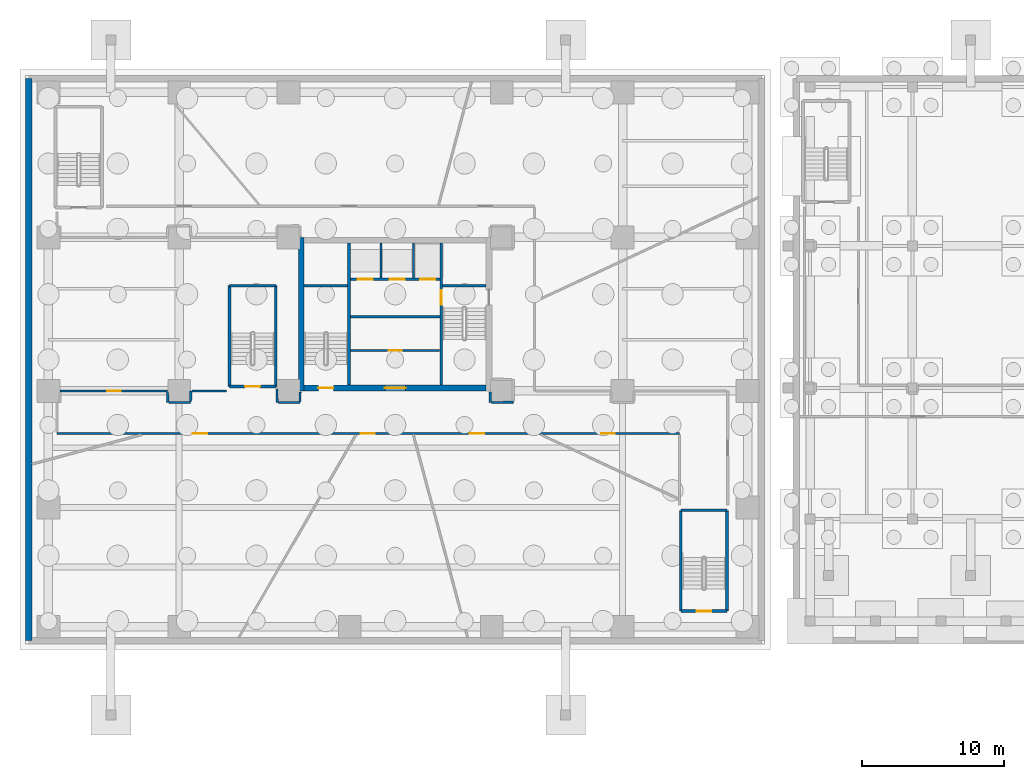
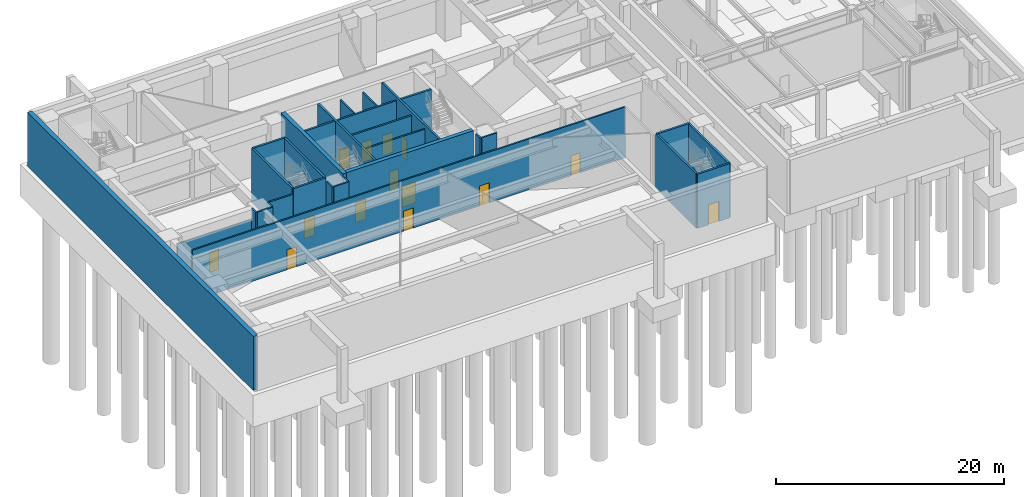
# One storey, part 5 of 15: 31 walls, 14 doors, 14 openings.
"""IFC4 building model written with IfcOpenShell, lengths in metres."""

from ifc_helpers import new_model, si_unit, direction, frame, frame_2d, origin, place, context, subcontext, project, spatial, rectangle, extrude, source, transform, mapped, material, layer, layer_set, type_object, type_shapes, element, fill, save


model = new_model("IFC4")

# Units and contexts
model_context = context("Model", 3, precision=1e-05, world=origin(), true_north=direction((0.0, 1.0)))
body_context = subcontext(model_context, "Body", "Model", "MODEL_VIEW")
ifc_project = project(units=[si_unit("LENGTHUNIT", "METRE"), si_unit("AREAUNIT", "SQUARE_METRE"), si_unit("VOLUMEUNIT", "CUBIC_METRE"), si_unit("PLANEANGLEUNIT", "RADIAN"), si_unit("MASSUNIT", "GRAM", prefix="KILO")], contexts=[model_context])

# Site, building, storey
site_placement = place(None, origin())
site = spatial("IfcSite", under=ifc_project, at=site_placement, CompositionType="ELEMENT")
building_placement = place(site_placement, origin())
building = spatial("IfcBuilding", under=site, at=building_placement, Name="Talar Marvaseh", CompositionType="ELEMENT")
storey_placement = place(building_placement, frame((0.0, 0.0, -11.60009765625)))
storey = spatial("IfcBuildingStorey", under=building, at=storey_placement, Name="B02", CompositionType="ELEMENT", Elevation=-11.60009765625)

# Wall
ifc_material_1 = material(Name="Concrete C50/60", Category="concrete")
ifc_layer_1 = layer(ifc_material_1, 0.449951171875)
ifc_layer_set_1 = layer_set([ifc_layer_1], Name="Concrete C50/60")
wall_type_1 = type_object("IfcWallType", Name="Basement Perimeter Waterproof Retaining Wall 450", PredefinedType="SHEAR", material=ifc_layer_set_1)
wall_1_placement = place(storey_placement, frame((0.22509765625, 8.22509765625, 0.0), z_axis=(0.0, 0.0, 1.0), x_axis=(0.0, 1.0, 0.0)))
element("IfcWall", 1, at=wall_1_placement, inside=storey, type_object=wall_type_1, Name="B02 Basement Retaining Wall", PredefinedType="SHEAR", context=body_context, shape_type="SweptSolid", body=[
    extrude(rectangle(XDim=39.5498046875, YDim=0.449951171875, at=frame_2d((19.77490234375, 0.0))), origin(), (0.0, 0.0, 1.0), 5.800048828125),
])

# Wall, opening, door
ifc_material_2 = material(Name="Gypsum Board Partition Assembly")
ifc_layer_2 = layer(ifc_material_2, 0.155029296875)
ifc_layer_set_2 = layer_set([ifc_layer_2], Name="Gypsum Board Partition Assembly")
wall_type_2 = type_object("IfcWallType", Name="Corridor Fire-Rated Acoustic Partition 155", PredefinedType="PARTITIONING", material=ifc_layer_set_2)
wall_2_placement = place(storey_placement, frame((22.865966796875, 28.639892578125, 0.0), z_axis=(0.0, 0.0, 1.0), x_axis=(1.0, 0.0, 0.0)))
wall_2 = element("IfcWall", 2, at=wall_2_placement, inside=storey, type_object=wall_type_2, Name="B02 Core BOH Partition", PredefinedType="PARTITIONING", context=body_context, shape_type="SweptSolid", body=[
    extrude(rectangle(XDim=6.26806640625, YDim=0.155029296875, at=frame_2d((3.134033203125, 0.0))), origin(), (0.0, 0.0, 1.0), 5.440185546875),
])
opening_1_placement = place(wall_2_placement, frame((2.699951171875, 0.0, 0.0)))
opening_1 = element("IfcOpeningElement", 3, at=opening_1_placement, cuts=wall_2, Name="Opening DR-BOH090", PredefinedType="OPENING", context=body_context, shape_type="SweptSolid", body=[
    extrude(rectangle(XDim=0.89990234375, YDim=2.10009765625, at=frame_2d((0.449951171875, 1.050048828125))), frame((0.0, 0.08740234375, 0.0), z_axis=(0.0, -1.0, 0.0), x_axis=(1.0, 0.0, 0.0)), (0.0, 0.0, 1.0), 0.175048828125),
])
ifc_material_3 = material(Name="Fire-Rated Steel Door Leaf", Category="steel")
door_type_1 = type_object("IfcDoorType", Name="Core Back-of-House Service Door 900x2100", OperationType="NOTDEFINED", PredefinedType="DOOR", material=ifc_material_3)
shared_shape_1 = source(origin(), body_context, "Body", "SweptSolid", [
    extrude(rectangle(XDim=0.89990234375, YDim=2.10009765625, at=frame_2d((0.449951171875, 1.050048828125))), frame((0.0, 0.02490234375, 0.0), z_axis=(0.0, -1.0, 0.0), x_axis=(1.0, 0.0, 0.0)), (0.0, 0.0, 1.0), 0.050048828125),
])
type_shapes(door_type_1, [shared_shape_1])
door_1_placement = place(opening_1_placement, origin())
door_1 = element("IfcDoor", 4, at=door_1_placement, inside=storey, type_object=door_type_1, Name="B02 Store Core Central Archive Door", OperationType="SINGLE_SWING_LEFT", OverallHeight=2.10009765625, OverallWidth=0.89990234375, PredefinedType="DOOR", context=body_context, shape_type="MappedRepresentation", body=[
    mapped(shared_shape_1, transform((0.0, 0.0, 0.0), x_axis=(1.0, 0.0, 0.0), y_axis=(0.0, 1.0, 0.0), z_axis=(0.0, 0.0, 1.0), scale=1.0)),
])
fill(opening_1, door_1)

wall_3_placement = place(storey_placement, frame((2.4150390625, 25.800048828125, 0.0), z_axis=(0.0, 0.0, 1.0), x_axis=(1.0, 0.0, 0.0)))
wall_3 = element("IfcWall", 5, at=wall_3_placement, inside=storey, type_object=wall_type_2, Name="B02 Interior Partition Wall", PredefinedType="PARTITIONING", context=body_context, shape_type="SweptSolid", body=[
    extrude(rectangle(XDim=7.570068359375, YDim=0.155029296875, at=frame_2d((3.78515625, 0.0))), origin(), (0.0, 0.0, 1.0), 4.215087890625),
])
opening_2_placement = place(wall_3_placement, frame((3.31005859375, 0.0, 0.0)))
opening_2 = element("IfcOpeningElement", 6, at=opening_2_placement, cuts=wall_3, Name="Opening DR-WC095", PredefinedType="OPENING", context=body_context, shape_type="SweptSolid", body=[
    extrude(rectangle(XDim=0.949951171875, YDim=2.14990234375, at=frame_2d((0.47509765625, 1.074951171875))), frame((0.0, 0.08740234375, 0.0), z_axis=(0.0, -1.0, 0.0), x_axis=(1.0, 0.0, 0.0)), (0.0, 0.0, 1.0), 0.175048828125),
])
ifc_material_4 = material(Name="Acoustic Engineered Oak Timber", Category="wood")
door_type_2 = type_object("IfcDoorType", Name="Washroom and Service Room Door 950x2150", OperationType="NOTDEFINED", PredefinedType="DOOR", material=ifc_material_4)
shared_shape_2 = source(origin(), body_context, "Body", "SweptSolid", [
    extrude(rectangle(XDim=0.949951171875, YDim=2.14990234375, at=frame_2d((0.47509765625, 1.074951171875))), frame((0.0, 0.02490234375, 0.0), z_axis=(0.0, -1.0, 0.0), x_axis=(1.0, 0.0, 0.0)), (0.0, 0.0, 1.0), 0.050048828125),
])
type_shapes(door_type_2, [shared_shape_2])
door_2_placement = place(opening_2_placement, origin())
door_2 = element("IfcDoor", 7, at=door_2_placement, inside=storey, type_object=door_type_2, Name="B02 Basement Maintenance Store Door", OperationType="SINGLE_SWING_LEFT", OverallHeight=2.14990234375, OverallWidth=0.949951171875, PredefinedType="DOOR", context=body_context, shape_type="MappedRepresentation", body=[
    mapped(shared_shape_2, transform((0.0, 0.0, 0.0), x_axis=(1.0, 0.0, 0.0), y_axis=(0.0, 1.0, 0.0), z_axis=(0.0, 0.0, 1.0), scale=1.0)),
])
fill(opening_2, door_2)

# Wall, openings, doors
wall_4_placement = place(storey_placement, frame((46.0, 22.800048828125, 0.0), z_axis=(0.0, 0.0, 1.0), x_axis=(-1.0, 0.0, 0.0)))
wall_4 = element("IfcWall", 8, at=wall_4_placement, inside=storey, type_object=wall_type_2, Name="B02 Interior Partition Wall", PredefinedType="PARTITIONING", context=body_context, shape_type="SweptSolid", body=[
    extrude(rectangle(XDim=43.800048828125, YDim=0.155029296875, at=frame_2d((21.89990234375, 0.0))), origin(), (0.0, 0.0, 1.0), 5.440185546875),
])
opening_3_placement = place(wall_4_placement, frame((33.239501953125, 0.0, 0.0)))
opening_3 = element("IfcOpeningElement", 9, at=opening_3_placement, cuts=wall_4, Name="Opening DR-RM100", PredefinedType="OPENING", context=body_context, shape_type="SweptSolid", body=[
    extrude(rectangle(XDim=1.0, YDim=2.14990234375, at=frame_2d((0.5, 1.074951171875))), frame((0.0, 0.08740234375, 0.0), z_axis=(0.0, -1.0, 0.0), x_axis=(1.0, 0.0, 0.0)), (0.0, 0.0, 1.0), 0.175048828125),
])
opening_4_placement = place(wall_4_placement, frame((21.43359375, 0.0, 0.0)))
opening_4 = element("IfcOpeningElement", 10, at=opening_4_placement, cuts=wall_4, Name="Opening DR-RM100", PredefinedType="OPENING", context=body_context, shape_type="SweptSolid", body=[
    extrude(rectangle(XDim=1.0, YDim=2.14990234375, at=frame_2d((0.5, 1.074951171875))), frame((0.0, 0.08740234375, 0.0), z_axis=(0.0, -1.0, 0.0), x_axis=(1.0, 0.0, 0.0)), (0.0, 0.0, 1.0), 0.175048828125),
])
opening_5_placement = place(wall_4_placement, frame((13.735107421875, 0.0, 0.0)))
opening_5 = element("IfcOpeningElement", 11, at=opening_5_placement, cuts=wall_4, Name="Opening DR-RM100", PredefinedType="OPENING", context=body_context, shape_type="SweptSolid", body=[
    extrude(rectangle(XDim=1.0, YDim=2.14990234375, at=frame_2d((0.5, 1.074951171875))), frame((0.0, 0.08740234375, 0.0), z_axis=(0.0, -1.0, 0.0), x_axis=(1.0, 0.0, 0.0)), (0.0, 0.0, 1.0), 0.175048828125),
])
opening_6_placement = place(wall_4_placement, frame((4.555419921875, 0.0, 0.0)))
opening_6 = element("IfcOpeningElement", 12, at=opening_6_placement, cuts=wall_4, Name="Opening DR-WC095", PredefinedType="OPENING", context=body_context, shape_type="SweptSolid", body=[
    extrude(rectangle(XDim=0.949951171875, YDim=2.14990234375, at=frame_2d((0.47509765625, 1.074951171875))), frame((0.0, 0.08740234375, 0.0), z_axis=(0.0, -1.0, 0.0), x_axis=(1.0, 0.0, 0.0)), (0.0, 0.0, 1.0), 0.175048828125),
])
door_3_placement = place(opening_6_placement, origin())
door_3 = element("IfcDoor", 13, at=door_3_placement, inside=storey, type_object=door_type_2, Name="B02 WC Public Washrooms Door", OperationType="SINGLE_SWING_RIGHT", OverallHeight=2.14990234375, OverallWidth=0.949951171875, PredefinedType="DOOR", context=body_context, shape_type="MappedRepresentation", body=[
    mapped(shared_shape_2, transform((0.0, 0.0, 0.0), x_axis=(1.0, 0.0, 0.0), y_axis=(0.0, 1.0, 0.0), z_axis=(0.0, 0.0, 1.0), scale=1.0)),
])
fill(opening_6, door_3)
door_type_3 = type_object("IfcDoorType", Name="Corridor Fire-Rated Gallery Door 1000x2150", OperationType="NOTDEFINED", PredefinedType="DOOR", material=ifc_material_4)
shared_shape_3 = source(origin(), body_context, "Body", "SweptSolid", [
    extrude(rectangle(XDim=1.0, YDim=2.14990234375, at=frame_2d((0.5, 1.074951171875))), frame((0.0, 0.02490234375, 0.0), z_axis=(0.0, -1.0, 0.0), x_axis=(1.0, 0.0, 0.0)), (0.0, 0.0, 1.0), 0.050048828125),
])
type_shapes(door_type_3, [shared_shape_3])
door_4_placement = place(opening_3_placement, origin())
door_4 = element("IfcDoor", 14, at=door_4_placement, inside=storey, type_object=door_type_3, Name="B02 Metro Island Platform Concourse Door", OperationType="SINGLE_SWING_LEFT", OverallHeight=2.14990234375, OverallWidth=1.0, PredefinedType="DOOR", context=body_context, shape_type="MappedRepresentation", body=[
    mapped(shared_shape_3, transform((0.0, 0.0, 0.0), x_axis=(1.0, 0.0, 0.0), y_axis=(0.0, 1.0, 0.0), z_axis=(0.0, 0.0, 1.0), scale=1.0)),
])
fill(opening_3, door_4)
door_5_placement = place(opening_4_placement, origin())
door_5 = element("IfcDoor", 15, at=door_5_placement, inside=storey, type_object=door_type_3, Name="B02 Traction Substation Plant Room Door", OperationType="SINGLE_SWING_RIGHT", OverallHeight=2.14990234375, OverallWidth=1.0, PredefinedType="DOOR", context=body_context, shape_type="MappedRepresentation", body=[
    mapped(shared_shape_3, transform((0.0, 0.0, 0.0), x_axis=(1.0, 0.0, 0.0), y_axis=(0.0, 1.0, 0.0), z_axis=(0.0, 0.0, 1.0), scale=1.0)),
])
fill(opening_4, door_5)
door_6_placement = place(opening_5_placement, origin())
door_6 = element("IfcDoor", 16, at=door_6_placement, inside=storey, type_object=door_type_3, Name="B02 Tunnel Ventilation Fan Plant Door", OperationType="SINGLE_SWING_LEFT", OverallHeight=2.14990234375, OverallWidth=1.0, PredefinedType="DOOR", context=body_context, shape_type="MappedRepresentation", body=[
    mapped(shared_shape_3, transform((0.0, 0.0, 0.0), x_axis=(1.0, 0.0, 0.0), y_axis=(0.0, 1.0, 0.0), z_axis=(0.0, 0.0, 1.0), scale=1.0)),
])
fill(opening_5, door_6)

# Walls
wall_5_placement = place(storey_placement, frame((9.986572265625, 25.716552734375, 0.0), z_axis=(0.0, 0.0, 1.0), x_axis=(0.01835471782, -0.999831537977, 0.0)))
element("IfcWall", 17, at=wall_5_placement, inside=storey, type_object=wall_type_2, Name="B02 Interior Partition Wall", PredefinedType="PARTITIONING", context=body_context, shape_type="SweptSolid", body=[
    extrude(rectangle(XDim=0.731689453125, YDim=0.155029296875, at=frame_2d((0.36572265625, 0.0))), origin(), (0.0, 0.0, 1.0), 5.440185546875),
])
wall_6_placement = place(storey_placement, frame((10.08349609375, 24.985107421875, 0.0), z_axis=(0.0, 0.0, 1.0), x_axis=(0.99999937099, 0.00112161442, 0.0)))
element("IfcWall", 18, at=wall_6_placement, inside=storey, type_object=wall_type_2, Name="B02 Interior Partition Wall", PredefinedType="PARTITIONING", context=body_context, shape_type="SweptSolid", body=[
    extrude(rectangle(XDim=1.523681640625, YDim=0.155029296875, at=frame_2d((0.76171875, 0.0))), origin(), (0.0, 0.0, 1.0), 5.440185546875),
])
wall_7_placement = place(storey_placement, frame((11.60791015625, 25.0703125, 0.0), z_axis=(0.0, 0.0, 1.0), x_axis=(0.009701784932, 0.999952936577, 0.0)))
element("IfcWall", 19, at=wall_7_placement, inside=storey, type_object=wall_type_2, Name="B02 Interior Partition Wall", PredefinedType="PARTITIONING", context=body_context, shape_type="SweptSolid", body=[
    extrude(rectangle(XDim=0.729736328125, YDim=0.155029296875, at=frame_2d((0.36474609375, 0.0))), origin(), (0.0, 0.0, 1.0), 5.440185546875),
])
wall_8_placement = place(storey_placement, frame((11.698486328125, 25.800048828125, 0.0), z_axis=(0.0, 0.0, 1.0), x_axis=(1.0, 0.0, 0.0)))
element("IfcWall", 20, at=wall_8_placement, inside=storey, type_object=wall_type_2, Name="B02 Interior Partition Wall", PredefinedType="PARTITIONING", context=body_context, shape_type="SweptSolid", body=[
    extrude(rectangle(XDim=2.421630859375, YDim=0.155029296875, at=frame_2d((1.2109375, 0.0))), origin(), (0.0, 0.0, 1.0), 5.440185546875),
])
wall_9_placement = place(storey_placement, frame((17.68505859375, 25.949951171875, 0.0), z_axis=(0.0, 0.0, 1.0), x_axis=(0.01543338431, -0.999880898232, 0.0)))
element("IfcWall", 21, at=wall_9_placement, inside=storey, type_object=wall_type_2, Name="B02 Interior Partition Wall", PredefinedType="PARTITIONING", context=body_context, shape_type="SweptSolid", body=[
    extrude(rectangle(XDim=0.96484375, YDim=0.155029296875, at=frame_2d((0.482421875, 0.0))), origin(), (0.0, 0.0, 1.0), 5.440185546875),
])
wall_10_placement = place(storey_placement, frame((17.783447265625, 24.985107421875, 0.0), z_axis=(0.0, 0.0, 1.0), x_axis=(0.99999937099, 0.00112161442, 0.0)))
element("IfcWall", 22, at=wall_10_placement, inside=storey, type_object=wall_type_2, Name="B02 Interior Partition Wall", PredefinedType="PARTITIONING", context=body_context, shape_type="SweptSolid", body=[
    extrude(rectangle(XDim=1.523681640625, YDim=0.155029296875, at=frame_2d((0.76171875, 0.0))), origin(), (0.0, 0.0, 1.0), 5.440185546875),
])
wall_11_placement = place(storey_placement, frame((19.30810546875, 25.0703125, 0.0), z_axis=(0.0, 0.0, 1.0), x_axis=(0.010362137944, 0.999946311607, 0.0)))
element("IfcWall", 23, at=wall_11_placement, inside=storey, type_object=wall_type_2, Name="B02 Interior Partition Wall", PredefinedType="PARTITIONING", context=body_context, shape_type="SweptSolid", body=[
    extrude(rectangle(XDim=0.65966796875, YDim=0.155029296875, at=frame_2d((0.329833984375, 0.0))), origin(), (0.0, 0.0, 1.0), 5.440185546875),
])
wall_12_placement = place(storey_placement, frame((32.68505859375, 25.72998046875, 0.0), z_axis=(0.0, 0.0, 1.0), x_axis=(0.010511902743, -0.999944748424, 0.0)))
element("IfcWall", 24, at=wall_12_placement, inside=storey, type_object=wall_type_2, Name="B02 Interior Partition Wall", PredefinedType="PARTITIONING", context=body_context, shape_type="SweptSolid", body=[
    extrude(rectangle(XDim=0.7431640625, YDim=0.155029296875, at=frame_2d((0.37158203125, 0.0))), origin(), (0.0, 0.0, 1.0), 5.440185546875),
])
wall_13_placement = place(storey_placement, frame((32.7763671875, 24.987548828125, 0.0), z_axis=(0.0, 0.0, 1.0), x_axis=(0.999967255963, 0.008092404007, 0.0)))
element("IfcWall", 25, at=wall_13_placement, inside=storey, type_object=wall_type_2, Name="B02 Interior Partition Wall", PredefinedType="PARTITIONING", context=body_context, shape_type="SweptSolid", body=[
    extrude(rectangle(XDim=1.53857421875, YDim=0.155029296875, at=frame_2d((0.769287109375, 0.0))), origin(), (0.0, 0.0, 1.0), 5.440185546875),
])
ifc_material_5 = material(Name="Precast concrete C45/55", Category="concrete")
ifc_layer_3 = layer(ifc_material_5, 0.14501953125)
ifc_layer_set_3 = layer_set([ifc_layer_3], Name="Precast concrete C45/55")
wall_type_3 = type_object("IfcWallType", Name="Fire-Rated Lift Divider Wall 145", PredefinedType="SOLIDWALL", material=ifc_layer_set_3)
for number, where, z_axis, x_axis, name in (
    (26, (25.0, 33.743408203125, 0.0), (0.0, 0.0, 1.0), (0.0, 1.0, 0.0), "B02 FFL-1/FFL-2 Divider"),
    (27, (27.280029296875, 33.743408203125, 0.0), (0.0, 0.0, 1.0), (0.0, 1.0, 0.0), "B02 FFL-2/SVL-1 Divider"),
):
    element("IfcWall", number, at=place(storey_placement, frame(where, z_axis=z_axis, x_axis=x_axis)), inside=storey, type_object=wall_type_3, Name=name, PredefinedType="SOLIDWALL", context=body_context, shape_type="SweptSolid", body=[
        extrude(rectangle(XDim=2.45654296875, YDim=0.14501953125, at=frame_2d((1.228271484375, 0.0))), origin(), (0.0, 0.0, 1.0), 5.440185546875),
    ])

# Wall, openings, doors
ifc_layer_4 = layer(ifc_material_5, 0.175048828125)
ifc_layer_set_4 = layer_set([ifc_layer_4], Name="Precast concrete C45/55")
wall_type_4 = type_object("IfcWallType", Name="Fire-Rated Lift Hoistway Enclosure Wall 175", PredefinedType="SOLIDWALL", material=ifc_layer_set_4)
wall_14_placement = place(storey_placement, frame((22.860107421875, 33.64990234375, 0.0), z_axis=(0.0, 0.0, 1.0), x_axis=(1.0, 0.0, 0.0)))
wall_14 = element("IfcWall", 28, at=wall_14_placement, inside=storey, type_object=wall_type_4, Name="B02 Firefighting and Service Lift Front Wall", PredefinedType="SOLIDWALL", context=body_context, shape_type="SweptSolid", body=[
    extrude(rectangle(XDim=6.27978515625, YDim=0.175048828125, at=frame_2d((3.139892578125, 0.0))), origin(), (0.0, 0.0, 1.0), 5.440185546875),
])
opening_7_placement = place(wall_14_placement, frame((0.5, 0.0, 0.0)))
opening_7 = element("IfcOpeningElement", 29, at=opening_7_placement, cuts=wall_14, Name="Opening LD-FF1", PredefinedType="OPENING", context=body_context, shape_type="SweptSolid", body=[
    extrude(rectangle(XDim=1.050048828125, YDim=2.14990234375, at=frame_2d((0.52490234375, 1.074951171875))), frame((0.0, 0.09765625, 0.0), z_axis=(0.0, -1.0, 0.0), x_axis=(1.0, 0.0, 0.0)), (0.0, 0.0, 1.0), 0.195068359375),
])
opening_8_placement = place(wall_14_placement, frame((2.760009765625, 0.0, 0.0)))
opening_8 = element("IfcOpeningElement", 30, at=opening_8_placement, cuts=wall_14, Name="Opening LD-FF2", PredefinedType="OPENING", context=body_context, shape_type="SweptSolid", body=[
    extrude(rectangle(XDim=1.050048828125, YDim=2.14990234375, at=frame_2d((0.52490234375, 1.074951171875))), frame((0.0, 0.09765625, 0.0), z_axis=(0.0, -1.0, 0.0), x_axis=(1.0, 0.0, 0.0)), (0.0, 0.0, 1.0), 0.195068359375),
])
opening_9_placement = place(wall_14_placement, frame((4.89990234375, 0.0, 0.0)))
opening_9 = element("IfcOpeningElement", 31, at=opening_9_placement, cuts=wall_14, Name="Opening LD-SV1", PredefinedType="OPENING", context=body_context, shape_type="SweptSolid", body=[
    extrude(rectangle(XDim=1.050048828125, YDim=2.14990234375, at=frame_2d((0.52490234375, 1.074951171875))), frame((0.0, 0.09765625, 0.0), z_axis=(0.0, -1.0, 0.0), x_axis=(1.0, 0.0, 0.0)), (0.0, 0.0, 1.0), 0.195068359375),
])
ifc_material_6 = material(Name="Stainless Steel Grade 316", Category="steel")
door_type_4 = type_object("IfcDoorType", Name="Automatic Sliding Lift Landing Door 1050x2150", OperationType="NOTDEFINED", PredefinedType="DOOR", material=ifc_material_6)
shared_shape_4 = source(origin(), body_context, "Body", "SweptSolid", [
    extrude(rectangle(XDim=1.050048828125, YDim=2.14990234375, at=frame_2d((0.52490234375, 1.074951171875))), frame((0.0, 0.02490234375, 0.0), z_axis=(0.0, -1.0, 0.0), x_axis=(1.0, 0.0, 0.0)), (0.0, 0.0, 1.0), 0.050048828125),
])
type_shapes(door_type_4, [shared_shape_4])
door_7_placement = place(opening_7_placement, origin())
door_7 = element("IfcDoor", 32, at=door_7_placement, inside=storey, type_object=door_type_4, Name="B02 Lift FFL-1 Sliding Landing Door", OperationType="SLIDING_TO_LEFT", OverallHeight=2.14990234375, OverallWidth=1.050048828125, PredefinedType="DOOR", context=body_context, shape_type="MappedRepresentation", body=[
    mapped(shared_shape_4, transform((0.0, 0.0, 0.0), x_axis=(1.0, 0.0, 0.0), y_axis=(0.0, 1.0, 0.0), z_axis=(0.0, 0.0, 1.0), scale=1.0)),
])
fill(opening_7, door_7)
door_8_placement = place(opening_8_placement, origin())
door_8 = element("IfcDoor", 33, at=door_8_placement, inside=storey, type_object=door_type_4, Name="B02 Lift FFL-2 Sliding Landing Door", OperationType="SLIDING_TO_LEFT", OverallHeight=2.14990234375, OverallWidth=1.050048828125, PredefinedType="DOOR", context=body_context, shape_type="MappedRepresentation", body=[
    mapped(shared_shape_4, transform((0.0, 0.0, 0.0), x_axis=(1.0, 0.0, 0.0), y_axis=(0.0, 1.0, 0.0), z_axis=(0.0, 0.0, 1.0), scale=1.0)),
])
fill(opening_8, door_8)
door_9_placement = place(opening_9_placement, origin())
door_9 = element("IfcDoor", 34, at=door_9_placement, inside=storey, type_object=door_type_4, Name="B02 Lift SVL-1 Sliding Landing Door", OperationType="SLIDING_TO_LEFT", OverallHeight=2.14990234375, OverallWidth=1.050048828125, PredefinedType="DOOR", context=body_context, shape_type="MappedRepresentation", body=[
    mapped(shared_shape_4, transform((0.0, 0.0, 0.0), x_axis=(1.0, 0.0, 0.0), y_axis=(0.0, 1.0, 0.0), z_axis=(0.0, 0.0, 1.0), scale=1.0)),
])
fill(opening_9, door_9)

# Walls
wall_15_placement = place(storey_placement, frame((22.860107421875, 31.02001953125, 0.0), z_axis=(0.0, 0.0, 1.0), x_axis=(1.0, 0.0, 0.0)))
element("IfcWall", 35, at=wall_15_placement, inside=storey, type_object=wall_type_4, Name="B02 Firefighting Lobby South Smoke Wall", PredefinedType="SOLIDWALL", context=body_context, shape_type="SweptSolid", body=[
    extrude(rectangle(XDim=6.27978515625, YDim=0.175048828125, at=frame_2d((3.139892578125, 0.0))), origin(), (0.0, 0.0, 1.0), 5.440185546875),
])
ifc_material_7 = material(Name="Concrete C70/85", Category="concrete")
ifc_layer_5 = layer(ifc_material_7, 0.39990234375)
ifc_layer_set_5 = layer_set([ifc_layer_5], Name="Concrete C70/85")
wall_type_5 = type_object("IfcWallType", Name="Lower Core Reinforced Concrete Shear Wall 400", PredefinedType="SHEAR", material=ifc_layer_set_5)
wall_16_placement = place(storey_placement, frame((19.39990234375, 25.800048828125, 0.0), z_axis=(0.0, 0.0, 1.0), x_axis=(0.0, 1.0, 0.0)))
element("IfcWall", 36, at=wall_16_placement, inside=storey, type_object=wall_type_5, Name="B02 West Core Shear Wall", PredefinedType="SHEAR", context=body_context, shape_type="SweptSolid", body=[
    extrude(rectangle(XDim=10.800048828125, YDim=0.39990234375, at=frame_2d((5.39990234375, 0.0))), origin(), (0.0, 0.0, 1.0), 5.800048828125),
])

# Wall, openings, doors
wall_17_placement = place(storey_placement, frame((32.39990234375, 26.0, 0.0), z_axis=(0.0, 0.0, 1.0), x_axis=(-1.0, 0.0, 0.0)))
wall_17 = element("IfcWall", 37, at=wall_17_placement, inside=storey, type_object=wall_type_5, Name="B02 South Core Shear Wall", PredefinedType="SHEAR", context=body_context, shape_type="SweptSolid", body=[
    extrude(rectangle(XDim=12.7998046875, YDim=0.39990234375, at=frame_2d((6.39990234375, 0.0))), origin(), (0.0, 0.0, 1.0), 5.800048828125),
])
opening_10_placement = place(wall_17_placement, frame((10.75, 0.0, 0.0)))
opening_10 = element("IfcOpeningElement", 38, at=opening_10_placement, cuts=wall_17, Name="Opening DR-ST105", PredefinedType="OPENING", context=body_context, shape_type="SweptSolid", body=[
    extrude(rectangle(XDim=1.050048828125, YDim=2.14990234375, at=frame_2d((0.52490234375, 1.074951171875))), frame((0.0, 0.2099609375, 0.0), z_axis=(0.0, -1.0, 0.0), x_axis=(1.0, 0.0, 0.0)), (0.0, 0.0, 1.0), 0.419921875),
])
opening_11_placement = place(wall_17_placement, frame((5.669921875, 0.0, 0.0)))
opening_11 = element("IfcOpeningElement", 39, at=opening_11_placement, cuts=wall_17, Name="Opening DR-LBY145", PredefinedType="OPENING", context=body_context, shape_type="SweptSolid", body=[
    extrude(rectangle(XDim=1.449951171875, YDim=2.199951171875, at=frame_2d((0.72509765625, 1.10009765625))), frame((0.0, 0.2099609375, 0.0), z_axis=(0.0, -1.0, 0.0), x_axis=(1.0, 0.0, 0.0)), (0.0, 0.0, 1.0), 0.419921875),
])
door_type_5 = type_object("IfcDoorType", Name="Protected Exit Stair Fire Door 1050x2150", OperationType="NOTDEFINED", PredefinedType="DOOR", material=ifc_material_3)
shared_shape_5 = source(origin(), body_context, "Body", "SweptSolid", [
    extrude(rectangle(XDim=1.050048828125, YDim=2.14990234375, at=frame_2d((0.52490234375, 1.074951171875))), frame((0.0, 0.02490234375, 0.0), z_axis=(0.0, -1.0, 0.0), x_axis=(1.0, 0.0, 0.0)), (0.0, 0.0, 1.0), 0.050048828125),
])
type_shapes(door_type_5, [shared_shape_5])
door_10_placement = place(opening_10_placement, origin())
door_10 = element("IfcDoor", 40, at=door_10_placement, inside=storey, type_object=door_type_5, Name="B02 Stair ST-1 Exit Door", OperationType="SINGLE_SWING_RIGHT", OverallHeight=2.14990234375, OverallWidth=1.050048828125, PredefinedType="DOOR", context=body_context, shape_type="MappedRepresentation", body=[
    mapped(shared_shape_5, transform((0.0, 0.0, 0.0), x_axis=(1.0, 0.0, 0.0), y_axis=(0.0, 1.0, 0.0), z_axis=(0.0, 0.0, 1.0), scale=1.0)),
])
fill(opening_10, door_10)
door_type_6 = type_object("IfcDoorType", Name="Core Lift Lobby Double Smoke Door 1450x2200", OperationType="NOTDEFINED", PredefinedType="DOOR", material=ifc_material_3)
shared_shape_6 = source(origin(), body_context, "Body", "SweptSolid", [
    extrude(rectangle(XDim=1.449951171875, YDim=2.199951171875, at=frame_2d((0.72509765625, 1.10009765625))), frame((0.0, 0.02490234375, 0.0), z_axis=(0.0, -1.0, 0.0), x_axis=(1.0, 0.0, 0.0)), (0.0, 0.0, 1.0), 0.050048828125),
])
type_shapes(door_type_6, [shared_shape_6])
door_11_placement = place(opening_11_placement, origin())
door_11 = element("IfcDoor", 41, at=door_11_placement, inside=storey, type_object=door_type_6, Name="B02 Passenger Lift Lobby Entrance Door", OperationType="DOUBLE_DOOR_SINGLE_SWING", OverallHeight=2.199951171875, OverallWidth=1.449951171875, PredefinedType="DOOR", context=body_context, shape_type="MappedRepresentation", body=[
    mapped(shared_shape_6, transform((0.0, 0.0, 0.0), x_axis=(1.0, 0.0, 0.0), y_axis=(0.0, 1.0, 0.0), z_axis=(0.0, 0.0, 1.0), scale=1.0)),
])
fill(opening_11, door_11)

# Wall
ifc_layer_6 = layer(ifc_material_1, 0.199951171875)
ifc_layer_set_6 = layer_set([ifc_layer_6], Name="Concrete C50/60")
wall_type_6 = type_object("IfcWallType", Name="Stair Shaft Structural Concrete Shear Wall 200", PredefinedType="SHEAR", material=ifc_layer_set_6)
wall_18_placement = place(storey_placement, frame((22.760009765625, 26.199951171875, 0.0), z_axis=(0.0, 0.0, 1.0), x_axis=(0.0, 1.0, 0.0)))
element("IfcWall", 42, at=wall_18_placement, inside=storey, type_object=wall_type_6, Name="B02 Core West Stair Shear Wall", PredefinedType="SHEAR", context=body_context, shape_type="SweptSolid", body=[
    extrude(rectangle(XDim=10.0, YDim=0.199951171875, at=frame_2d((5.0, 0.0))), origin(), (0.0, 0.0, 1.0), 5.800048828125),
])

# Wall, opening, door
wall_19_placement = place(storey_placement, frame((29.239990234375, 26.199951171875, 0.0), z_axis=(0.0, 0.0, 1.0), x_axis=(0.0, 1.0, 0.0)))
wall_19 = element("IfcWall", 43, at=wall_19_placement, inside=storey, type_object=wall_type_6, Name="B02 Core East Stair Shear Wall", PredefinedType="SHEAR", context=body_context, shape_type="SweptSolid", body=[
    extrude(rectangle(XDim=10.0, YDim=0.199951171875, at=frame_2d((5.0, 0.0))), origin(), (0.0, 0.0, 1.0), 5.800048828125),
])
opening_12_placement = place(wall_19_placement, frame((5.64990234375, 0.0, 0.0)))
opening_12 = element("IfcOpeningElement", 44, at=opening_12_placement, cuts=wall_19, Name="Opening DR-ST105", PredefinedType="OPENING", context=body_context, shape_type="SweptSolid", body=[
    extrude(rectangle(XDim=1.050048828125, YDim=2.14990234375, at=frame_2d((0.52490234375, 1.074951171875))), frame((0.0, 0.10986328125, 0.0), z_axis=(0.0, -1.0, 0.0), x_axis=(1.0, 0.0, 0.0)), (0.0, 0.0, 1.0), 0.219970703125),
])
door_12_placement = place(opening_12_placement, origin())
door_12 = element("IfcDoor", 45, at=door_12_placement, inside=storey, type_object=door_type_5, Name="B02 Firefighting Lobby to Stair ST-2 Door", OperationType="SINGLE_SWING_LEFT", OverallHeight=2.14990234375, OverallWidth=1.050048828125, PredefinedType="DOOR", context=body_context, shape_type="MappedRepresentation", body=[
    mapped(shared_shape_5, transform((0.0, 0.0, 0.0), x_axis=(1.0, 0.0, 0.0), y_axis=(0.0, 1.0, 0.0), z_axis=(0.0, 0.0, 1.0), scale=1.0)),
])
fill(opening_12, door_12)

# Walls
for number, where, z_axis, x_axis, name in (
    (46, (19.60009765625, 33.199951171875, 0.0), (0.0, 0.0, 1.0), (1.0, 0.0, 0.0), "B02 Stair ST-1 North Shear Wall"),
    (47, (29.340087890625, 33.199951171875, 0.0), (0.0, 0.0, 1.0), (1.0, 0.0, 0.0), "B02 Stair ST-2 North Shear Wall"),
):
    element("IfcWall", number, at=place(storey_placement, frame(where, z_axis=z_axis, x_axis=x_axis)), inside=storey, type_object=wall_type_6, Name=name, PredefinedType="SHEAR", context=body_context, shape_type="SweptSolid", body=[
        extrude(rectangle(XDim=3.059814453125, YDim=0.199951171875, at=frame_2d((1.52978515625, 0.0))), origin(), (0.0, 0.0, 1.0), 5.800048828125),
    ])

# Wall, opening, door
wall_20_placement = place(storey_placement, frame((17.60009765625, 26.10009765625, 0.0), z_axis=(0.0, 0.0, 1.0), x_axis=(-1.0, 0.0, 0.0)))
wall_20 = element("IfcWall", 48, at=wall_20_placement, inside=storey, type_object=wall_type_6, Name="B02 Stair ST-3 South Shear Wall", PredefinedType="SHEAR", context=body_context, shape_type="SweptSolid", body=[
    extrude(rectangle(XDim=3.260009765625, YDim=0.199951171875, at=frame_2d((1.6298828125, 0.0))), origin(), (0.0, 0.0, 1.0), 5.800048828125),
])
opening_13_placement = place(wall_20_placement, frame((1.10009765625, 0.0, 0.0)))
opening_13 = element("IfcOpeningElement", 49, at=opening_13_placement, cuts=wall_20, Name="Opening DR-ST105", PredefinedType="OPENING", context=body_context, shape_type="SweptSolid", body=[
    extrude(rectangle(XDim=1.050048828125, YDim=2.14990234375, at=frame_2d((0.52490234375, 1.074951171875))), frame((0.0, 0.10986328125, 0.0), z_axis=(0.0, -1.0, 0.0), x_axis=(1.0, 0.0, 0.0)), (0.0, 0.0, 1.0), 0.219970703125),
])
door_13_placement = place(opening_13_placement, origin())
door_13 = element("IfcDoor", 50, at=door_13_placement, inside=storey, type_object=door_type_5, Name="B02 Stair ST-3 Exit Door", OperationType="SINGLE_SWING_LEFT", OverallHeight=2.14990234375, OverallWidth=1.050048828125, PredefinedType="DOOR", context=body_context, shape_type="MappedRepresentation", body=[
    mapped(shared_shape_5, transform((0.0, 0.0, 0.0), x_axis=(1.0, 0.0, 0.0), y_axis=(0.0, 1.0, 0.0), z_axis=(0.0, 0.0, 1.0), scale=1.0)),
])
fill(opening_13, door_13)

# Walls
wall_21_placement = place(storey_placement, frame((14.340087890625, 33.199951171875, 0.0), z_axis=(0.0, 0.0, 1.0), x_axis=(1.0, 0.0, 0.0)))
element("IfcWall", 51, at=wall_21_placement, inside=storey, type_object=wall_type_6, Name="B02 Stair ST-3 North Shear Wall", PredefinedType="SHEAR", context=body_context, shape_type="SweptSolid", body=[
    extrude(rectangle(XDim=3.260009765625, YDim=0.199951171875, at=frame_2d((1.6298828125, 0.0))), origin(), (0.0, 0.0, 1.0), 5.800048828125),
])
for number, where, z_axis, x_axis, name in (
    (52, (14.340087890625, 26.10009765625, 0.0), (0.0, 0.0, 1.0), (0.0, 1.0, 0.0), "B02 Stair ST-3 West Shear Wall"),
    (53, (17.60009765625, 26.10009765625, 0.0), (0.0, 0.0, 1.0), (0.0, 1.0, 0.0), "B02 Stair ST-3 East Shear Wall"),
):
    element("IfcWall", number, at=place(storey_placement, frame(where, z_axis=z_axis, x_axis=x_axis)), inside=storey, type_object=wall_type_6, Name=name, PredefinedType="SHEAR", context=body_context, shape_type="SweptSolid", body=[
        extrude(rectangle(XDim=7.099853515625, YDim=0.199951171875, at=frame_2d((3.5498046875, 0.0))), origin(), (0.0, 0.0, 1.0), 5.800048828125),
    ])

# Wall, opening, door
wall_22_placement = place(storey_placement, frame((49.360107421875, 10.300048828125, 0.0), z_axis=(0.0, 0.0, 1.0), x_axis=(-1.0, 0.0, 0.0)))
wall_22 = element("IfcWall", 54, at=wall_22_placement, inside=storey, type_object=wall_type_6, Name="B02 STN-ST2 South Shear Wall", PredefinedType="SHEAR", context=body_context, shape_type="SweptSolid", body=[
    extrude(rectangle(XDim=3.260009765625, YDim=0.199951171875, at=frame_2d((1.6298828125, 0.0))), origin(), (0.0, 0.0, 1.0), 5.800048828125),
])
opening_14_placement = place(wall_22_placement, frame((1.10009765625, 0.0, 0.0)))
opening_14 = element("IfcOpeningElement", 55, at=opening_14_placement, cuts=wall_22, Name="Opening DR-ST105", PredefinedType="OPENING", context=body_context, shape_type="SweptSolid", body=[
    extrude(rectangle(XDim=1.050048828125, YDim=2.14990234375, at=frame_2d((0.52490234375, 1.074951171875))), frame((0.0, 0.10986328125, 0.0), z_axis=(0.0, -1.0, 0.0), x_axis=(1.0, 0.0, 0.0)), (0.0, 0.0, 1.0), 0.219970703125),
])
door_14_placement = place(opening_14_placement, origin())
door_14 = element("IfcDoor", 56, at=door_14_placement, inside=storey, type_object=door_type_5, Name="B02 STN-ST2 Exit Door", OperationType="SINGLE_SWING_RIGHT", OverallHeight=2.14990234375, OverallWidth=1.050048828125, PredefinedType="DOOR", context=body_context, shape_type="MappedRepresentation", body=[
    mapped(shared_shape_5, transform((0.0, 0.0, 0.0), x_axis=(1.0, 0.0, 0.0), y_axis=(0.0, 1.0, 0.0), z_axis=(0.0, 0.0, 1.0), scale=1.0)),
])
fill(opening_14, door_14)

# Walls
wall_23_placement = place(storey_placement, frame((46.10009765625, 17.39990234375, 0.0), z_axis=(0.0, 0.0, 1.0), x_axis=(1.0, 0.0, 0.0)))
element("IfcWall", 57, at=wall_23_placement, inside=storey, type_object=wall_type_6, Name="B02 STN-ST2 North Shear Wall", PredefinedType="SHEAR", context=body_context, shape_type="SweptSolid", body=[
    extrude(rectangle(XDim=3.260009765625, YDim=0.199951171875, at=frame_2d((1.6298828125, 0.0))), origin(), (0.0, 0.0, 1.0), 5.800048828125),
])
for number, where, z_axis, x_axis, name in (
    (58, (46.10009765625, 10.300048828125, 0.0), (0.0, 0.0, 1.0), (0.0, 1.0, 0.0), "B02 STN-ST2 West Shear Wall"),
    (59, (49.360107421875, 10.300048828125, 0.0), (0.0, 0.0, 1.0), (0.0, 1.0, 0.0), "B02 STN-ST2 East Shear Wall"),
):
    element("IfcWall", number, at=place(storey_placement, frame(where, z_axis=z_axis, x_axis=x_axis)), inside=storey, type_object=wall_type_6, Name=name, PredefinedType="SHEAR", context=body_context, shape_type="SweptSolid", body=[
        extrude(rectangle(XDim=7.099853515625, YDim=0.199951171875, at=frame_2d((3.5498046875, 0.0))), origin(), (0.0, 0.0, 1.0), 5.800048828125),
    ])

save(model, "model.ifc")
